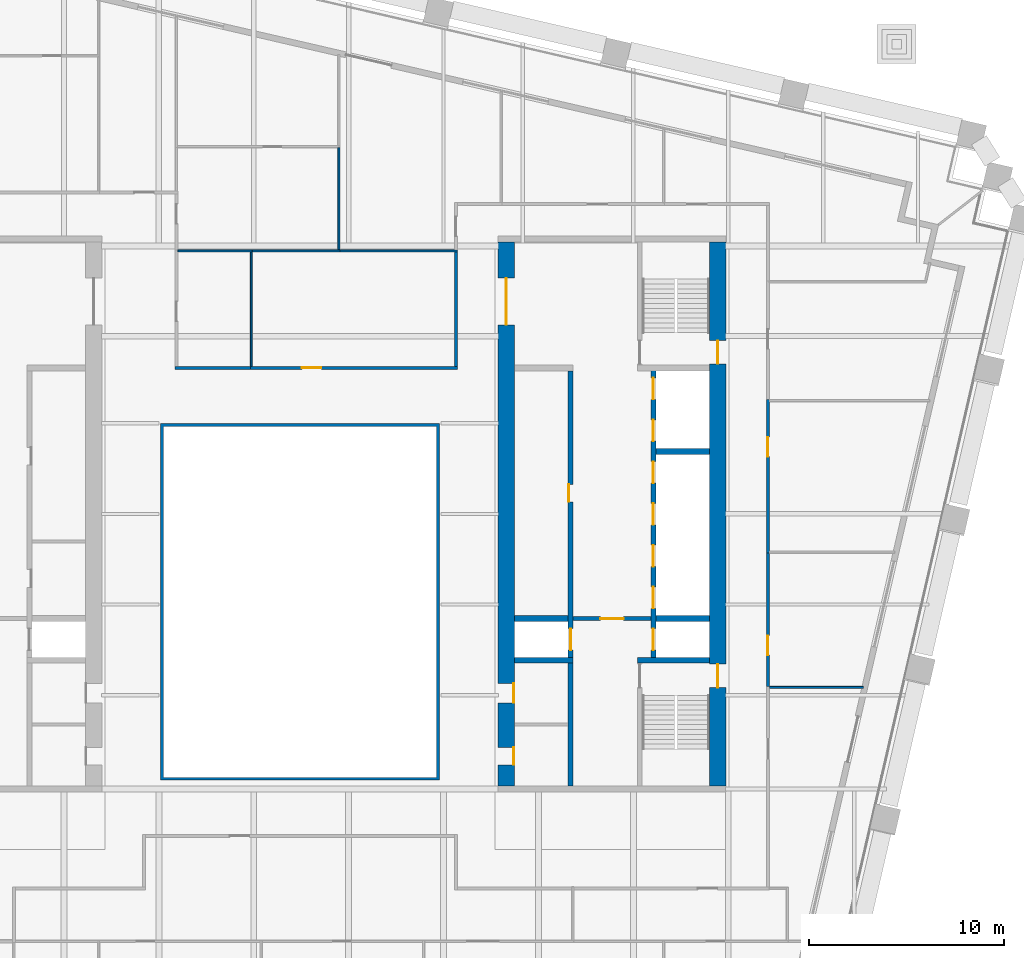
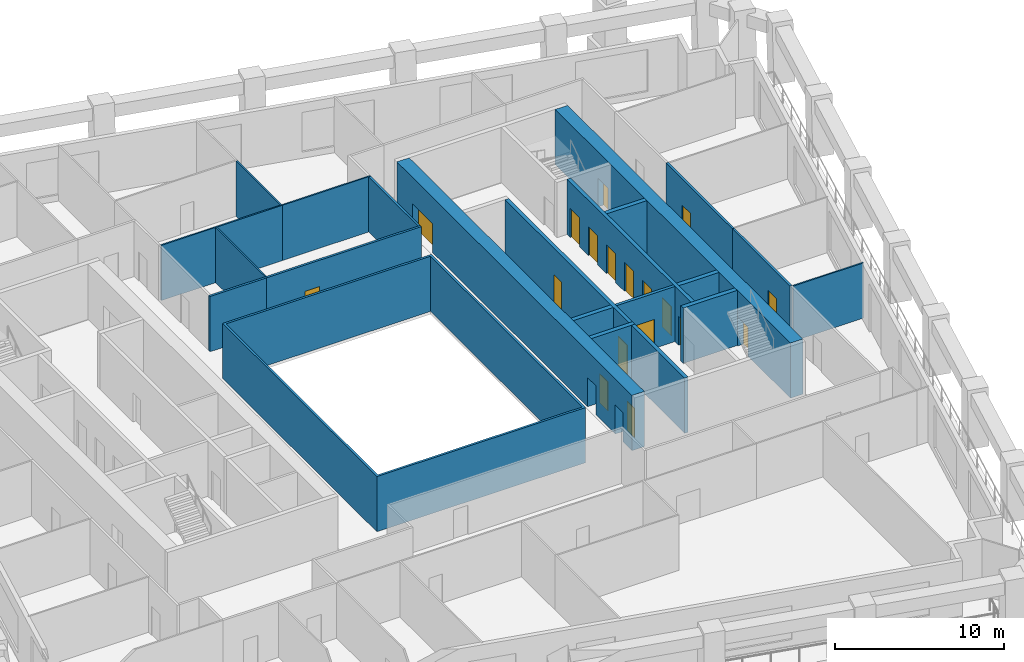
# One storey, part 7 of 10: 22 walls, 18 doors, 18 openings.
"""IFC4 building model written with IfcOpenShell, lengths in metres."""

from ifc_helpers import new_model, si_unit, direction, frame, frame_2d, origin, place, context, subcontext, project, spatial, polyline, rectangle, outline, extrude, material, layer, layer_set, type_object, element, fill, save


model = new_model("IFC4")

# Units and contexts
model_context = context("Model", 3, precision=1e-05, world=origin(), true_north=direction((0.0, 1.0)))
body_context = subcontext(model_context, "Body", "Model", "MODEL_VIEW")
ifc_project = project(units=[si_unit("LENGTHUNIT", "METRE"), si_unit("AREAUNIT", "SQUARE_METRE"), si_unit("VOLUMEUNIT", "CUBIC_METRE"), si_unit("PLANEANGLEUNIT", "RADIAN"), si_unit("MASSUNIT", "GRAM", prefix="KILO")], contexts=[model_context])

# Site, building, storey
site_placement = place(None, origin())
site = spatial("IfcSite", under=ifc_project, at=site_placement, CompositionType="ELEMENT")
building_placement = place(site_placement, origin())
building = spatial("IfcBuilding", under=site, at=building_placement, Name="Ogive Exchange Tower", CompositionType="ELEMENT")
storey_placement = place(building_placement, frame((0.0, 0.0, 105.60009765625)))
storey = spatial("IfcBuildingStorey", under=building, at=storey_placement, Name="L22", CompositionType="ELEMENT", Elevation=105.60009765625)

# Wall
ifc_material_1 = material(Name="Fire partition EI 60 150")
ifc_layer_1 = layer(ifc_material_1, 0.14990234375)
ifc_layer_set_1 = layer_set([ifc_layer_1], Name="Fire partition EI 60 150")
wall_type_1 = type_object("IfcWallType", Name="Fire partition EI 60 150", PredefinedType="PARTITIONING", material=ifc_layer_set_1)
wall_1_placement = place(storey_placement, frame((-6.4150390625, 19.0, 0.0), z_axis=(0.0, 0.0, 1.0), x_axis=(1.0, 0.0, 0.0)))
element("IfcWall", 1, at=wall_1_placement, inside=storey, type_object=wall_type_1, Name="L22-PWL-032", PredefinedType="PARTITIONING", context=body_context, shape_type="SweptSolid", body=[
    extrude(rectangle(XDim=3.864990234375, YDim=0.14990234375, at=frame_2d((1.9326171875, 0.0))), origin(), (0.0, 0.0, 1.0), 4.0),
])

# Wall, opening, door
wall_2_placement = place(storey_placement, frame((-2.550048828125, 19.0, 0.0), z_axis=(0.0, 0.0, 1.0), x_axis=(1.0, 0.0, 0.0)))
wall_2 = element("IfcWall", 2, at=wall_2_placement, inside=storey, type_object=wall_type_1, Name="L22-PWL-039", PredefinedType="PARTITIONING", context=body_context, shape_type="SweptSolid", body=[
    extrude(rectangle(XDim=10.625, YDim=0.14990234375, at=frame_2d((5.3125, 0.0))), origin(), (0.0, 0.0, 1.0), 4.0),
])
opening_1_placement = place(wall_2_placement, frame((2.64990234375, 0.0, 0.0)))
opening_1 = element("IfcOpeningElement", 3, at=opening_1_placement, cuts=wall_2, Name="Opening L22-I06", PredefinedType="OPENING", context=body_context, shape_type="SweptSolid", body=[
    extrude(rectangle(XDim=1.0, YDim=2.10009765625, at=frame_2d((0.5, 1.050048828125))), frame((0.0, 0.0849609375, 0.0), z_axis=(0.0, -1.0, 0.0), x_axis=(1.0, 0.0, 0.0)), (0.0, 0.0, 1.0), 0.169921875),
])
ifc_material_2 = material(Name="Fire door FD 30S 1000 x 2100")
door_type_1 = type_object("IfcDoorType", Name="Fire door FD 30S 1000 x 2100", OperationType="NOTDEFINED", PredefinedType="DOOR", material=ifc_material_2)
door_1_placement = place(opening_1_placement, origin())
door_1 = element("IfcDoor", 4, at=door_1_placement, inside=storey, type_object=door_type_1, Name="L22-IDR-006", ObjectType="DT3", OperationType="SINGLE_SWING_RIGHT", OverallHeight=2.10009765625, OverallWidth=1.0, PredefinedType="DOOR", context=body_context, shape_type="SweptSolid", body=[
    extrude(rectangle(XDim=1.0, YDim=2.10009765625, at=frame_2d((0.5, 1.050048828125))), frame((0.0, 0.02490234375, 0.0), z_axis=(0.0, -1.0, 0.0), x_axis=(1.0, 0.0, 0.0)), (0.0, 0.0, 1.0), 0.050048828125),
])
fill(opening_1, door_1)

# Wall
wall_3_placement = place(storey_placement, frame((8.0, 19.074951171875, 0.0), z_axis=(0.0, 0.0, 1.0), x_axis=(0.0, 1.0, 0.0)))
element("IfcWall", 5, at=wall_3_placement, inside=storey, type_object=wall_type_1, Name="L22-PWL-053", PredefinedType="PARTITIONING", context=body_context, shape_type="SweptSolid", body=[
    extrude(rectangle(XDim=5.875, YDim=0.14990234375, at=frame_2d((2.9375, 0.0))), origin(), (0.0, 0.0, 1.0), 4.0),
])

# Wall, opening, door
wall_4_placement = place(storey_placement, frame((24.0, 9.5, 0.0), z_axis=(0.0, 0.0, 1.0), x_axis=(0.0, -1.0, 0.0)))
wall_4 = element("IfcWall", 6, at=wall_4_placement, inside=storey, type_object=wall_type_1, Name="L22-PWL-066", PredefinedType="PARTITIONING", context=body_context, shape_type="SweptSolid", body=[
    extrude(rectangle(XDim=6.840087890625, YDim=0.14990234375, at=frame_2d((3.419921875, 0.0))), origin(), (0.0, 0.0, 1.0), 4.0),
])
opening_2_placement = place(wall_4_placement, frame((4.239990234375, 0.0, 0.0)))
opening_2 = element("IfcOpeningElement", 7, at=opening_2_placement, cuts=wall_4, Name="Opening L22-I15", PredefinedType="OPENING", context=body_context, shape_type="SweptSolid", body=[
    extrude(rectangle(XDim=1.0, YDim=2.10009765625, at=frame_2d((0.5, 1.050048828125))), frame((0.0, 0.0849609375, 0.0), z_axis=(0.0, -1.0, 0.0), x_axis=(1.0, 0.0, 0.0)), (0.0, 0.0, 1.0), 0.169921875),
])
door_2_placement = place(opening_2_placement, origin())
door_2 = element("IfcDoor", 8, at=door_2_placement, inside=storey, type_object=door_type_1, Name="L22-IDR-015", ObjectType="DT3", OperationType="SINGLE_SWING_LEFT", OverallHeight=2.10009765625, OverallWidth=1.0, PredefinedType="DOOR", context=body_context, shape_type="SweptSolid", body=[
    extrude(rectangle(XDim=1.0, YDim=2.10009765625, at=frame_2d((0.5, 1.050048828125))), frame((0.0, 0.02490234375, 0.0), z_axis=(0.0, -1.0, 0.0), x_axis=(1.0, 0.0, 0.0)), (0.0, 0.0, 1.0), 0.050048828125),
])
fill(opening_2, door_2)

wall_5_placement = place(storey_placement, frame((24.0, 17.3701171875, 0.0), z_axis=(0.0, 0.0, 1.0), x_axis=(0.0, -1.0, 0.0)))
wall_5 = element("IfcWall", 9, at=wall_5_placement, inside=storey, type_object=wall_type_1, Name="L22-PWL-067", PredefinedType="PARTITIONING", context=body_context, shape_type="SweptSolid", body=[
    extrude(rectangle(XDim=7.8701171875, YDim=0.14990234375, at=frame_2d((3.93505859375, 0.0))), origin(), (0.0, 0.0, 1.0), 4.0),
])
opening_3_placement = place(wall_5_placement, frame((1.919921875, 0.0, 0.0)))
opening_3 = element("IfcOpeningElement", 10, at=opening_3_placement, cuts=wall_5, Name="Opening L22-I01", PredefinedType="OPENING", context=body_context, shape_type="SweptSolid", body=[
    extrude(rectangle(XDim=1.0, YDim=2.10009765625, at=frame_2d((0.5, 1.050048828125))), frame((0.0, 0.0849609375, 0.0), z_axis=(0.0, -1.0, 0.0), x_axis=(1.0, 0.0, 0.0)), (0.0, 0.0, 1.0), 0.169921875),
])
door_3_placement = place(opening_3_placement, origin())
door_3 = element("IfcDoor", 11, at=door_3_placement, inside=storey, type_object=door_type_1, Name="L22-IDR-001", ObjectType="DT3", OperationType="SINGLE_SWING_RIGHT", OverallHeight=2.10009765625, OverallWidth=1.0, PredefinedType="DOOR", context=body_context, shape_type="SweptSolid", body=[
    extrude(rectangle(XDim=1.0, YDim=2.10009765625, at=frame_2d((0.5, 1.050048828125))), frame((0.0, 0.02490234375, 0.0), z_axis=(0.0, -1.0, 0.0), x_axis=(1.0, 0.0, 0.0)), (0.0, 0.0, 1.0), 0.050048828125),
])
fill(opening_3, door_3)

# Walls
ifc_material_3 = material(Name="Fire-resisting glass in steel frame", Category="steel")
ifc_layer_2 = layer(ifc_material_3, 0.14990234375)
ifc_layer_set_2 = layer_set([ifc_layer_2], Name="Fire-rated glazed wall 150")
wall_type_2 = type_object("IfcWallType", Name="Fire-rated glazed wall 150", PredefinedType="STANDARD", material=ifc_layer_set_2)
wall_6_placement = place(storey_placement, origin())
element("IfcWall", 12, at=wall_6_placement, inside=storey, type_object=wall_type_2, Name="Nave enclosure wall", PredefinedType="STANDARD", context=body_context, shape_type="SweptSolid", body=[
    extrude(outline(polyline([(-7.14990234375, -2.14990234375), (7.14990234375, -2.14990234375), (7.14990234375, 16.14990234375), (-7.14990234375, 16.14990234375), (-7.14990234375, -2.14990234375)]), holes=[polyline([(-7.0, -2.0), (-7.0, 16.0), (7.0, 16.0), (7.0, -2.0), (-7.0, -2.0)])]), origin(), (0.0, 0.0, 1.0), 4.0),
])
ifc_material_4 = material(Name="Partition 100 gypsum")
ifc_layer_3 = layer(ifc_material_4, 0.10009765625)
ifc_layer_set_3 = layer_set([ifc_layer_3], Name="Partition 100 gypsum")
wall_type_3 = type_object("IfcWallType", Name="Partition 100 gypsum", PredefinedType="PARTITIONING", material=ifc_layer_set_3)
wall_7_placement = place(storey_placement, frame((-6.264892578125, 25.0, 0.0), z_axis=(0.0, 0.0, 1.0), x_axis=(1.0, 0.0, 0.0)))
element("IfcWall", 13, at=wall_7_placement, inside=storey, type_object=wall_type_3, Name="L22-PWL-034", PredefinedType="PARTITIONING", context=body_context, shape_type="SweptSolid", body=[
    extrude(rectangle(XDim=3.81494140625, YDim=0.10009765625, at=frame_2d((1.907470703125, 0.0))), origin(), (0.0, 0.0, 1.0), 4.0),
])
wall_8_placement = place(storey_placement, frame((-2.5, 24.949951171875, 0.0), z_axis=(0.0, 0.0, 1.0), x_axis=(0.0, -1.0, 0.0)))
element("IfcWall", 14, at=wall_8_placement, inside=storey, type_object=wall_type_3, Name="L22-PWL-040", PredefinedType="PARTITIONING", context=body_context, shape_type="SweptSolid", body=[
    extrude(rectangle(XDim=5.875, YDim=0.10009765625, at=frame_2d((2.9375, 0.0))), origin(), (0.0, 0.0, 1.0), 4.0),
])
wall_9_placement = place(storey_placement, frame((-2.5, 25.0, 0.0), z_axis=(0.0, 0.0, 1.0), x_axis=(1.0, 0.0, 0.0)))
element("IfcWall", 15, at=wall_9_placement, inside=storey, type_object=wall_type_3, Name="L22-PWL-041", PredefinedType="PARTITIONING", context=body_context, shape_type="SweptSolid", body=[
    extrude(rectangle(XDim=4.5400390625, YDim=0.10009765625, at=frame_2d((2.27001953125, 0.0))), origin(), (0.0, 0.0, 1.0), 4.0),
])
wall_10_placement = place(storey_placement, frame((1.989990234375, 25.050048828125, 0.0), z_axis=(0.0, 0.0, 1.0), x_axis=(0.0, 1.0, 0.0)))
element("IfcWall", 16, at=wall_10_placement, inside=storey, type_object=wall_type_3, Name="L22-PWL-046", PredefinedType="PARTITIONING", context=body_context, shape_type="SweptSolid", body=[
    extrude(rectangle(XDim=5.239990234375, YDim=0.10009765625, at=frame_2d((2.6201171875, 0.0))), origin(), (0.0, 0.0, 1.0), 4.0),
])
wall_11_placement = place(storey_placement, frame((1.989990234375, 25.0, 0.0), z_axis=(0.0, 0.0, 1.0), x_axis=(1.0, 0.0, 0.0)))
element("IfcWall", 17, at=wall_11_placement, inside=storey, type_object=wall_type_3, Name="L22-PWL-047", PredefinedType="PARTITIONING", context=body_context, shape_type="SweptSolid", body=[
    extrude(rectangle(XDim=6.0849609375, YDim=0.10009765625, at=frame_2d((3.04248046875, 0.0))), origin(), (0.0, 0.0, 1.0), 4.0),
])
wall_12_placement = place(storey_placement, frame((28.89599609375, 2.610107421875, 0.0), z_axis=(0.0, 0.0, 1.0), x_axis=(-1.0, 0.0, 0.0)))
element("IfcWall", 18, at=wall_12_placement, inside=storey, type_object=wall_type_3, Name="L22-PWL-077", PredefinedType="PARTITIONING", context=body_context, shape_type="SweptSolid", body=[
    extrude(rectangle(XDim=4.81103515625, YDim=0.10009765625, at=frame_2d((2.405517578125, 0.0))), origin(), (0.0, 0.0, 1.0), 4.0),
])

# Wall, opening, door
ifc_material_5 = material(Name="Concrete C70/85", Category="concrete")
ifc_layer_4 = layer(ifc_material_5, 0.199951171875)
ifc_layer_set_4 = layer_set([ifc_layer_4], Name="RC core wall 200 C70/85")
wall_type_4 = type_object("IfcWallType", Name="RC core wall 200 C70/85", PredefinedType="SHEAR", material=ifc_layer_set_4)
wall_13_placement = place(storey_placement, frame((14.0, 6.142822265625, 0.0), z_axis=(0.0, 0.0, 1.0), x_axis=(1.0, 0.0, 0.0)))
wall_13 = element("IfcWall", 19, at=wall_13_placement, inside=storey, type_object=wall_type_4, Name="E firefighting lobby wall", PredefinedType="SHEAR", context=body_context, shape_type="SweptSolid", body=[
    extrude(rectangle(XDim=4.0, YDim=0.199951171875, at=frame_2d((2.0, 0.0))), origin(), (0.0, 0.0, 1.0), 4.0),
])
opening_4_placement = place(wall_13_placement, frame((1.39990234375, 0.0, 0.0)))
opening_4 = element("IfcOpeningElement", 20, at=opening_4_placement, cuts=wall_13, Name="Opening L22-C28", PredefinedType="OPENING", context=body_context, shape_type="SweptSolid", body=[
    extrude(rectangle(XDim=1.199951171875, YDim=2.10009765625, at=frame_2d((0.60009765625, 1.050048828125))), frame((0.0, 0.10986328125, 0.0), z_axis=(0.0, -1.0, 0.0), x_axis=(1.0, 0.0, 0.0)), (0.0, 0.0, 1.0), 0.219970703125),
])
ifc_material_6 = material(Name="Steel fire door", Category="steel")
door_type_2 = type_object("IfcDoorType", Name="Firefighting lobby door FD60 1200 x 2100", OperationType="NOTDEFINED", PredefinedType="DOOR", material=ifc_material_6)
door_4_placement = place(opening_4_placement, frame((1.199951171875, 0.0, 0.0), z_axis=(0.0, 0.0, 1.0), x_axis=(-1.0, 0.0, 0.0)))
door_4 = element("IfcDoor", 21, at=door_4_placement, inside=storey, type_object=door_type_2, Name="Firefighting lobby door", ObjectType="CD3", OperationType="SINGLE_SWING_LEFT", OverallHeight=2.10009765625, OverallWidth=1.199951171875, PredefinedType="DOOR", context=body_context, shape_type="SweptSolid", body=[
    extrude(rectangle(XDim=1.199951171875, YDim=2.10009765625, at=frame_2d((0.60009765625, 1.050048828125))), frame((0.0, 0.02490234375, 0.0), z_axis=(0.0, -1.0, 0.0), x_axis=(1.0, 0.0, 0.0)), (0.0, 0.0, 1.0), 0.050048828125),
])
fill(opening_4, door_4)

# Wall, openings, doors
ifc_layer_5 = layer(ifc_material_5, 0.25)
ifc_layer_set_5 = layer_set([ifc_layer_5], Name="RC core wall 250 C70/85")
wall_type_5 = type_object("IfcWallType", Name="RC core wall 250 C70/85", PredefinedType="SHEAR", material=ifc_layer_set_5)
wall_14_placement = place(storey_placement, frame((18.125, 4.14990234375, 0.0), z_axis=(0.0, 0.0, 1.0), x_axis=(0.0, 1.0, 0.0)))
wall_14 = element("IfcWall", 22, at=wall_14_placement, inside=storey, type_object=wall_type_5, Name="E row A front wall", PredefinedType="SHEAR", context=body_context, shape_type="SweptSolid", body=[
    extrude(rectangle(XDim=14.7001953125, YDim=0.25, at=frame_2d((7.35009765625, 0.0))), origin(), (0.0, 0.0, 1.0), 4.0),
])
opening_5_placement = place(wall_14_placement, frame((0.371337890625, 0.0, 0.0)))
opening_5 = element("IfcOpeningElement", 23, at=opening_5_placement, cuts=wall_14, Name="Opening L22-C19", PredefinedType="OPENING", context=body_context, shape_type="SweptSolid", body=[
    extrude(rectangle(XDim=1.10009765625, YDim=2.10009765625, at=frame_2d((0.550048828125, 1.050048828125))), frame((0.0, 0.135009765625, 0.0), z_axis=(0.0, -1.0, 0.0), x_axis=(1.0, 0.0, 0.0)), (0.0, 0.0, 1.0), 0.27001953125),
])
opening_6_placement = place(wall_14_placement, frame((2.514404296875, 0.0, 0.0)))
opening_6 = element("IfcOpeningElement", 24, at=opening_6_placement, cuts=wall_14, Name="Opening L22-C20", PredefinedType="OPENING", context=body_context, shape_type="SweptSolid", body=[
    extrude(rectangle(XDim=1.10009765625, YDim=2.10009765625, at=frame_2d((0.550048828125, 1.050048828125))), frame((0.0, 0.135009765625, 0.0), z_axis=(0.0, -1.0, 0.0), x_axis=(1.0, 0.0, 0.0)), (0.0, 0.0, 1.0), 0.27001953125),
])
opening_7_placement = place(wall_14_placement, frame((4.656982421875, 0.0, 0.0)))
opening_7 = element("IfcOpeningElement", 25, at=opening_7_placement, cuts=wall_14, Name="Opening L22-C21", PredefinedType="OPENING", context=body_context, shape_type="SweptSolid", body=[
    extrude(rectangle(XDim=1.10009765625, YDim=2.10009765625, at=frame_2d((0.550048828125, 1.050048828125))), frame((0.0, 0.135009765625, 0.0), z_axis=(0.0, -1.0, 0.0), x_axis=(1.0, 0.0, 0.0)), (0.0, 0.0, 1.0), 0.27001953125),
])
opening_8_placement = place(wall_14_placement, frame((6.800048828125, 0.0, 0.0)))
opening_8 = element("IfcOpeningElement", 26, at=opening_8_placement, cuts=wall_14, Name="Opening L22-C22", PredefinedType="OPENING", context=body_context, shape_type="SweptSolid", body=[
    extrude(rectangle(XDim=1.10009765625, YDim=2.10009765625, at=frame_2d((0.550048828125, 1.050048828125))), frame((0.0, 0.135009765625, 0.0), z_axis=(0.0, -1.0, 0.0), x_axis=(1.0, 0.0, 0.0)), (0.0, 0.0, 1.0), 0.27001953125),
])
opening_9_placement = place(wall_14_placement, frame((8.94287109375, 0.0, 0.0)))
opening_9 = element("IfcOpeningElement", 27, at=opening_9_placement, cuts=wall_14, Name="Opening L22-C23", PredefinedType="OPENING", context=body_context, shape_type="SweptSolid", body=[
    extrude(rectangle(XDim=1.10009765625, YDim=2.10009765625, at=frame_2d((0.550048828125, 1.050048828125))), frame((0.0, 0.135009765625, 0.0), z_axis=(0.0, -1.0, 0.0), x_axis=(1.0, 0.0, 0.0)), (0.0, 0.0, 1.0), 0.27001953125),
])
opening_10_placement = place(wall_14_placement, frame((11.085693359375, 0.0, 0.0)))
opening_10 = element("IfcOpeningElement", 28, at=opening_10_placement, cuts=wall_14, Name="Opening L22-C24", PredefinedType="OPENING", context=body_context, shape_type="SweptSolid", body=[
    extrude(rectangle(XDim=1.10009765625, YDim=2.10009765625, at=frame_2d((0.550048828125, 1.050048828125))), frame((0.0, 0.135009765625, 0.0), z_axis=(0.0, -1.0, 0.0), x_axis=(1.0, 0.0, 0.0)), (0.0, 0.0, 1.0), 0.27001953125),
])
opening_11_placement = place(wall_14_placement, frame((13.228515625, 0.0, 0.0)))
opening_11 = element("IfcOpeningElement", 29, at=opening_11_placement, cuts=wall_14, Name="Opening L22-C25", PredefinedType="OPENING", context=body_context, shape_type="SweptSolid", body=[
    extrude(rectangle(XDim=1.10009765625, YDim=2.10009765625, at=frame_2d((0.550048828125, 1.050048828125))), frame((0.0, 0.135009765625, 0.0), z_axis=(0.0, -1.0, 0.0), x_axis=(1.0, 0.0, 0.0)), (0.0, 0.0, 1.0), 0.27001953125),
])
ifc_material_7 = material(Name="Stainless steel", Category="steel")
door_type_3 = type_object("IfcDoorType", Name="Lift landing door FD90 1100 x 2100", OperationType="SLIDING_TO_LEFT", PredefinedType="DOOR", material=ifc_material_7)
door_5_placement = place(opening_5_placement, origin())
door_5 = element("IfcDoor", 30, at=door_5_placement, inside=storey, type_object=door_type_3, Name="Lift landing door FF2", ObjectType="LD", OperationType="SLIDING_TO_LEFT", OverallHeight=2.10009765625, OverallWidth=1.10009765625, PredefinedType="DOOR", context=body_context, shape_type="SweptSolid", body=[
    extrude(rectangle(XDim=1.10009765625, YDim=2.10009765625, at=frame_2d((0.550048828125, 1.050048828125))), frame((0.0, 0.02490234375, 0.0), z_axis=(0.0, -1.0, 0.0), x_axis=(1.0, 0.0, 0.0)), (0.0, 0.0, 1.0), 0.050048828125),
])
fill(opening_5, door_5)
door_6_placement = place(opening_6_placement, origin())
door_6 = element("IfcDoor", 31, at=door_6_placement, inside=storey, type_object=door_type_3, Name="Lift landing door E-L1", ObjectType="LD", OperationType="SLIDING_TO_LEFT", OverallHeight=2.10009765625, OverallWidth=1.10009765625, PredefinedType="DOOR", context=body_context, shape_type="SweptSolid", body=[
    extrude(rectangle(XDim=1.10009765625, YDim=2.10009765625, at=frame_2d((0.550048828125, 1.050048828125))), frame((0.0, 0.02490234375, 0.0), z_axis=(0.0, -1.0, 0.0), x_axis=(1.0, 0.0, 0.0)), (0.0, 0.0, 1.0), 0.050048828125),
])
fill(opening_6, door_6)
door_7_placement = place(opening_7_placement, origin())
door_7 = element("IfcDoor", 32, at=door_7_placement, inside=storey, type_object=door_type_3, Name="Lift landing door E-L2", ObjectType="LD", OperationType="SLIDING_TO_LEFT", OverallHeight=2.10009765625, OverallWidth=1.10009765625, PredefinedType="DOOR", context=body_context, shape_type="SweptSolid", body=[
    extrude(rectangle(XDim=1.10009765625, YDim=2.10009765625, at=frame_2d((0.550048828125, 1.050048828125))), frame((0.0, 0.02490234375, 0.0), z_axis=(0.0, -1.0, 0.0), x_axis=(1.0, 0.0, 0.0)), (0.0, 0.0, 1.0), 0.050048828125),
])
fill(opening_7, door_7)
door_8_placement = place(opening_8_placement, origin())
door_8 = element("IfcDoor", 33, at=door_8_placement, inside=storey, type_object=door_type_3, Name="Lift landing door E-L3", ObjectType="LD", OperationType="SLIDING_TO_LEFT", OverallHeight=2.10009765625, OverallWidth=1.10009765625, PredefinedType="DOOR", context=body_context, shape_type="SweptSolid", body=[
    extrude(rectangle(XDim=1.10009765625, YDim=2.10009765625, at=frame_2d((0.550048828125, 1.050048828125))), frame((0.0, 0.02490234375, 0.0), z_axis=(0.0, -1.0, 0.0), x_axis=(1.0, 0.0, 0.0)), (0.0, 0.0, 1.0), 0.050048828125),
])
fill(opening_8, door_8)
door_9_placement = place(opening_9_placement, origin())
door_9 = element("IfcDoor", 34, at=door_9_placement, inside=storey, type_object=door_type_3, Name="Lift landing door E-L4", ObjectType="LD", OperationType="SLIDING_TO_LEFT", OverallHeight=2.10009765625, OverallWidth=1.10009765625, PredefinedType="DOOR", context=body_context, shape_type="SweptSolid", body=[
    extrude(rectangle(XDim=1.10009765625, YDim=2.10009765625, at=frame_2d((0.550048828125, 1.050048828125))), frame((0.0, 0.02490234375, 0.0), z_axis=(0.0, -1.0, 0.0), x_axis=(1.0, 0.0, 0.0)), (0.0, 0.0, 1.0), 0.050048828125),
])
fill(opening_9, door_9)
door_10_placement = place(opening_10_placement, origin())
door_10 = element("IfcDoor", 35, at=door_10_placement, inside=storey, type_object=door_type_3, Name="Lift landing door E-SH1", ObjectType="LD", OperationType="SLIDING_TO_LEFT", OverallHeight=2.10009765625, OverallWidth=1.10009765625, PredefinedType="DOOR", context=body_context, shape_type="SweptSolid", body=[
    extrude(rectangle(XDim=1.10009765625, YDim=2.10009765625, at=frame_2d((0.550048828125, 1.050048828125))), frame((0.0, 0.02490234375, 0.0), z_axis=(0.0, -1.0, 0.0), x_axis=(1.0, 0.0, 0.0)), (0.0, 0.0, 1.0), 0.050048828125),
])
fill(opening_10, door_10)
door_11_placement = place(opening_11_placement, origin())
door_11 = element("IfcDoor", 36, at=door_11_placement, inside=storey, type_object=door_type_3, Name="Lift landing door E-SH2", ObjectType="LD", OperationType="SLIDING_TO_LEFT", OverallHeight=2.10009765625, OverallWidth=1.10009765625, PredefinedType="DOOR", context=body_context, shape_type="SweptSolid", body=[
    extrude(rectangle(XDim=1.10009765625, YDim=2.10009765625, at=frame_2d((0.550048828125, 1.050048828125))), frame((0.0, 0.02490234375, 0.0), z_axis=(0.0, -1.0, 0.0), x_axis=(1.0, 0.0, 0.0)), (0.0, 0.0, 1.0), 0.050048828125),
])
fill(opening_11, door_11)

wall_15_placement = place(storey_placement, frame((13.875, -2.449951171875, 0.0), z_axis=(0.0, 0.0, 1.0), x_axis=(0.0, 1.0, 0.0)))
wall_15 = element("IfcWall", 37, at=wall_15_placement, inside=storey, type_object=wall_type_5, Name="E row B front wall", PredefinedType="SHEAR", context=body_context, shape_type="SweptSolid", body=[
    extrude(rectangle(XDim=21.300048828125, YDim=0.25, at=frame_2d((10.64990234375, 0.0))), origin(), (0.0, 0.0, 1.0), 4.0),
])
opening_12_placement = place(wall_15_placement, frame((14.5712890625, 0.0, 0.0)))
opening_12 = element("IfcOpeningElement", 38, at=opening_12_placement, cuts=wall_15, Name="Opening L22-C26", PredefinedType="OPENING", context=body_context, shape_type="SweptSolid", body=[
    extrude(rectangle(XDim=0.89990234375, YDim=2.10009765625, at=frame_2d((0.449951171875, 1.050048828125))), frame((0.0, 0.135009765625, 0.0), z_axis=(0.0, -1.0, 0.0), x_axis=(1.0, 0.0, 0.0)), (0.0, 0.0, 1.0), 0.27001953125),
])
opening_13_placement = place(wall_15_placement, frame((6.971435546875, 0.0, 0.0)))
opening_13 = element("IfcOpeningElement", 39, at=opening_13_placement, cuts=wall_15, Name="Opening L22-C27", PredefinedType="OPENING", context=body_context, shape_type="SweptSolid", body=[
    extrude(rectangle(XDim=1.10009765625, YDim=2.10009765625, at=frame_2d((0.550048828125, 1.050048828125))), frame((0.0, 0.135009765625, 0.0), z_axis=(0.0, -1.0, 0.0), x_axis=(1.0, 0.0, 0.0)), (0.0, 0.0, 1.0), 0.27001953125),
])
door_12_placement = place(opening_13_placement, origin())
door_12 = element("IfcDoor", 40, at=door_12_placement, inside=storey, type_object=door_type_3, Name="Lift landing door SV2", ObjectType="LD", OperationType="SLIDING_TO_LEFT", OverallHeight=2.10009765625, OverallWidth=1.10009765625, PredefinedType="DOOR", context=body_context, shape_type="SweptSolid", body=[
    extrude(rectangle(XDim=1.10009765625, YDim=2.10009765625, at=frame_2d((0.550048828125, 1.050048828125))), frame((0.0, 0.02490234375, 0.0), z_axis=(0.0, -1.0, 0.0), x_axis=(1.0, 0.0, 0.0)), (0.0, 0.0, 1.0), 0.050048828125),
])
fill(opening_13, door_12)
door_type_4 = type_object("IfcDoorType", Name="Riser door FD60 900 x 2100", OperationType="NOTDEFINED", PredefinedType="DOOR", material=ifc_material_6)
door_13_placement = place(opening_12_placement, origin())
door_13 = element("IfcDoor", 41, at=door_13_placement, inside=storey, type_object=door_type_4, Name="Riser door", ObjectType="CD2", OperationType="SINGLE_SWING_LEFT", OverallHeight=2.10009765625, OverallWidth=0.89990234375, PredefinedType="DOOR", context=body_context, shape_type="SweptSolid", body=[
    extrude(rectangle(XDim=0.89990234375, YDim=2.10009765625, at=frame_2d((0.449951171875, 1.050048828125))), frame((0.0, 0.125, 0.0), z_axis=(0.0, -1.0, 0.0), x_axis=(1.0, 0.0, 0.0)), (0.0, 0.0, 1.0), 0.050048828125),
])
fill(opening_12, door_13)

# Walls
ifc_layer_6 = layer(ifc_material_5, 0.300048828125)
ifc_layer_set_6 = layer_set([ifc_layer_6], Name="RC core wall 300 C70/85")
wall_type_6 = type_object("IfcWallType", Name="RC core wall 300 C70/85", PredefinedType="SHEAR", material=ifc_layer_set_6)
wall_16_placement = place(storey_placement, frame((17.300048828125, 4.0, 0.0), z_axis=(0.0, 0.0, 1.0), x_axis=(1.0, 0.0, 0.0)))
element("IfcWall", 42, at=wall_16_placement, inside=storey, type_object=wall_type_6, Name="E stair S north wall", PredefinedType="SHEAR", context=body_context, shape_type="SweptSolid", body=[
    extrude(rectangle(XDim=3.699951171875, YDim=0.300048828125, at=frame_2d((1.85009765625, 0.0))), origin(), (0.0, 0.0, 1.0), 4.0),
])
for number, where, z_axis, x_axis, name in (
    (43, (18.25, 6.142822265625, 0.0), (0.0, 0.0, 1.0), (1.0, 0.0, 0.0), "E row A divider 1"),
    (44, (18.25, 14.71435546875, 0.0), (0.0, 0.0, 1.0), (1.0, 0.0, 0.0), "E row A divider 5"),
):
    element("IfcWall", number, at=place(storey_placement, frame(where, z_axis=z_axis, x_axis=x_axis)), inside=storey, type_object=wall_type_6, Name=name, PredefinedType="SHEAR", context=body_context, shape_type="SweptSolid", body=[
        extrude(rectangle(XDim=2.75, YDim=0.300048828125, at=frame_2d((1.375, 0.0))), origin(), (0.0, 0.0, 1.0), 4.0),
    ])
wall_17_placement = place(storey_placement, frame((11.0, 4.0, 0.0), z_axis=(0.0, 0.0, 1.0), x_axis=(1.0, 0.0, 0.0)))
element("IfcWall", 45, at=wall_17_placement, inside=storey, type_object=wall_type_6, Name="E row B divider 0", PredefinedType="SHEAR", context=body_context, shape_type="SweptSolid", body=[
    extrude(rectangle(XDim=3.0, YDim=0.300048828125, at=frame_2d((1.5, 0.0))), origin(), (0.0, 0.0, 1.0), 4.0),
])
wall_18_placement = place(storey_placement, frame((11.0, 6.142822265625, 0.0), z_axis=(0.0, 0.0, 1.0), x_axis=(1.0, 0.0, 0.0)))
element("IfcWall", 46, at=wall_18_placement, inside=storey, type_object=wall_type_6, Name="E row B divider 1", PredefinedType="SHEAR", context=body_context, shape_type="SweptSolid", body=[
    extrude(rectangle(XDim=2.75, YDim=0.300048828125, at=frame_2d((1.375, 0.0))), origin(), (0.0, 0.0, 1.0), 4.0),
])

# Wall, openings, doors
ifc_layer_7 = layer(ifc_material_5, 0.85009765625)
ifc_layer_set_7 = layer_set([ifc_layer_7], Name="RC core wall 850 C70/85")
wall_type_7 = type_object("IfcWallType", Name="RC core wall 850 C70/85", PredefinedType="SHEAR", material=ifc_layer_set_7)
wall_19_placement = place(storey_placement, frame((21.425048828125, -2.449951171875, 0.0), z_axis=(0.0, 0.0, 1.0), x_axis=(0.0, 1.0, 0.0)))
wall_19 = element("IfcWall", 47, at=wall_19_placement, inside=storey, type_object=wall_type_7, Name="E outer wall", PredefinedType="SHEAR", context=body_context, shape_type="SweptSolid", body=[
    extrude(rectangle(XDim=27.89990234375, YDim=0.85009765625, at=frame_2d((13.949951171875, 0.0))), origin(), (0.0, 0.0, 1.0), 4.0),
])
opening_14_placement = place(wall_19_placement, frame((5.050048828125, 0.0, 0.0)))
opening_14 = element("IfcOpeningElement", 48, at=opening_14_placement, cuts=wall_19, Name="Opening L22-C31", PredefinedType="OPENING", context=body_context, shape_type="SweptSolid", body=[
    extrude(rectangle(XDim=1.199951171875, YDim=2.10009765625, at=frame_2d((0.60009765625, 1.050048828125))), frame((0.0, 0.43505859375, 0.0), z_axis=(0.0, -1.0, 0.0), x_axis=(1.0, 0.0, 0.0)), (0.0, 0.0, 1.0), 0.8701171875),
])
opening_15_placement = place(wall_19_placement, frame((21.64990234375, 0.0, 0.0)))
opening_15 = element("IfcOpeningElement", 49, at=opening_15_placement, cuts=wall_19, Name="Opening L22-C33", PredefinedType="OPENING", context=body_context, shape_type="SweptSolid", body=[
    extrude(rectangle(XDim=1.199951171875, YDim=2.10009765625, at=frame_2d((0.60009765625, 1.050048828125))), frame((0.0, 0.43505859375, 0.0), z_axis=(0.0, -1.0, 0.0), x_axis=(1.0, 0.0, 0.0)), (0.0, 0.0, 1.0), 0.8701171875),
])
door_type_5 = type_object("IfcDoorType", Name="Stair door FD90 1200 x 2100", OperationType="NOTDEFINED", PredefinedType="DOOR", material=ifc_material_6)
door_14_placement = place(opening_14_placement, origin())
door_14 = element("IfcDoor", 50, at=door_14_placement, inside=storey, type_object=door_type_5, Name="Stair door", ObjectType="CD5", OperationType="SINGLE_SWING_LEFT", OverallHeight=2.10009765625, OverallWidth=1.199951171875, PredefinedType="DOOR", context=body_context, shape_type="SweptSolid", body=[
    extrude(rectangle(XDim=1.199951171875, YDim=2.10009765625, at=frame_2d((0.60009765625, 1.050048828125))), frame((0.0, 0.02490234375, 0.0), z_axis=(0.0, -1.0, 0.0), x_axis=(1.0, 0.0, 0.0)), (0.0, 0.0, 1.0), 0.050048828125),
])
fill(opening_14, door_14)
door_15_placement = place(opening_15_placement, origin())
door_15 = element("IfcDoor", 51, at=door_15_placement, inside=storey, type_object=door_type_5, Name="Stair door", ObjectType="CD5", OperationType="SINGLE_SWING_RIGHT", OverallHeight=2.10009765625, OverallWidth=1.199951171875, PredefinedType="DOOR", context=body_context, shape_type="SweptSolid", body=[
    extrude(rectangle(XDim=1.199951171875, YDim=2.10009765625, at=frame_2d((0.60009765625, 1.050048828125))), frame((0.0, 0.02490234375, 0.0), z_axis=(0.0, -1.0, 0.0), x_axis=(1.0, 0.0, 0.0)), (0.0, 0.0, 1.0), 0.050048828125),
])
fill(opening_15, door_15)

wall_20_placement = place(storey_placement, frame((10.574951171875, -2.449951171875, 0.0), z_axis=(0.0, 0.0, 1.0), x_axis=(0.0, 1.0, 0.0)))
wall_20 = element("IfcWall", 52, at=wall_20_placement, inside=storey, type_object=wall_type_7, Name="E inner wall", PredefinedType="SHEAR", context=body_context, shape_type="SweptSolid", body=[
    extrude(rectangle(XDim=27.89990234375, YDim=0.85009765625, at=frame_2d((13.949951171875, 0.0))), origin(), (0.0, 0.0, 1.0), 4.0),
])
opening_16_placement = place(wall_20_placement, frame((23.64990234375, 0.0, 0.0)))
opening_16 = element("IfcOpeningElement", 53, at=opening_16_placement, cuts=wall_20, Name="Opening L22-C29", PredefinedType="OPENING", context=body_context, shape_type="SweptSolid", body=[
    extrude(rectangle(XDim=2.39990234375, YDim=2.10009765625, at=frame_2d((1.199951171875, 1.050048828125))), frame((0.0, 0.43505859375, 0.0), z_axis=(0.0, -1.0, 0.0), x_axis=(1.0, 0.0, 0.0)), (0.0, 0.0, 1.0), 0.8701171875),
])
opening_17_placement = place(wall_20_placement, frame((1.08740234375, 0.0, 0.0)))
opening_17 = element("IfcOpeningElement", 54, at=opening_17_placement, cuts=wall_20, Name="Opening L22-C34", PredefinedType="OPENING", context=body_context, shape_type="SweptSolid", body=[
    extrude(rectangle(XDim=0.89990234375, YDim=2.10009765625, at=frame_2d((0.449951171875, 1.050048828125))), frame((0.0, 0.43505859375, 0.0), z_axis=(0.0, -1.0, 0.0), x_axis=(1.0, 0.0, 0.0)), (0.0, 0.0, 1.0), 0.8701171875),
])
opening_18_placement = place(wall_20_placement, frame((4.262451171875, 0.0, 0.0)))
opening_18 = element("IfcOpeningElement", 55, at=opening_18_placement, cuts=wall_20, Name="Opening L22-C35", PredefinedType="OPENING", context=body_context, shape_type="SweptSolid", body=[
    extrude(rectangle(XDim=1.0, YDim=2.10009765625, at=frame_2d((0.5, 1.050048828125))), frame((0.0, 0.43505859375, 0.0), z_axis=(0.0, -1.0, 0.0), x_axis=(1.0, 0.0, 0.0)), (0.0, 0.0, 1.0), 0.8701171875),
])
ifc_material_8 = material(Name="Timber fire door", Category="wood")
door_type_6 = type_object("IfcDoorType", Name="Accessible WC door FD30S 1000 x 2100", OperationType="NOTDEFINED", PredefinedType="DOOR", material=ifc_material_8)
door_16_placement = place(opening_18_placement, frame((1.0, -0.7998046875, 0.0), z_axis=(0.0, 0.0, 1.0), x_axis=(-1.0, 0.0, 0.0)))
door_16 = element("IfcDoor", 56, at=door_16_placement, inside=storey, type_object=door_type_6, Name="Accessible WC door", ObjectType="CD7", OperationType="SINGLE_SWING_LEFT", OverallHeight=2.10009765625, OverallWidth=1.0, PredefinedType="DOOR", context=body_context, shape_type="SweptSolid", body=[
    extrude(rectangle(XDim=1.0, YDim=2.10009765625, at=frame_2d((0.5, 1.050048828125))), frame((0.0, -0.375, 0.0), z_axis=(0.0, -1.0, 0.0), x_axis=(1.0, 0.0, 0.0)), (0.0, 0.0, 1.0), 0.050048828125),
])
fill(opening_18, door_16)
door_type_7 = type_object("IfcDoorType", Name="Core room door FD30S 900 x 2100", OperationType="NOTDEFINED", PredefinedType="DOOR", material=ifc_material_8)
door_17_placement = place(opening_17_placement, frame((0.89990234375, -0.7998046875, 0.0), z_axis=(0.0, 0.0, 1.0), x_axis=(-1.0, 0.0, 0.0)))
door_17 = element("IfcDoor", 57, at=door_17_placement, inside=storey, type_object=door_type_7, Name="Core room door", ObjectType="CD6", OperationType="SINGLE_SWING_LEFT", OverallHeight=2.10009765625, OverallWidth=0.89990234375, PredefinedType="DOOR", context=body_context, shape_type="SweptSolid", body=[
    extrude(rectangle(XDim=0.89990234375, YDim=2.10009765625, at=frame_2d((0.449951171875, 1.050048828125))), frame((0.0, -0.375, 0.0), z_axis=(0.0, -1.0, 0.0), x_axis=(1.0, 0.0, 0.0)), (0.0, 0.0, 1.0), 0.050048828125),
])
fill(opening_17, door_17)
ifc_material_9 = material(Name="Glazed steel fire door", Category="steel")
door_type_8 = type_object("IfcDoorType", Name="Lift lobby double door FD60 2400 x 2100", OperationType="DOUBLE_DOOR_SINGLE_SWING", PredefinedType="DOOR", material=ifc_material_9)
door_18_placement = place(opening_16_placement, frame((2.39990234375, 0.0, 0.0), z_axis=(0.0, 0.0, 1.0), x_axis=(-1.0, 0.0, 0.0)))
door_18 = element("IfcDoor", 58, at=door_18_placement, inside=storey, type_object=door_type_8, Name="Lift lobby double door", ObjectType="CD4", OperationType="DOUBLE_DOOR_SINGLE_SWING", OverallHeight=2.10009765625, OverallWidth=2.39990234375, PredefinedType="DOOR", context=body_context, shape_type="SweptSolid", body=[
    extrude(rectangle(XDim=2.39990234375, YDim=2.10009765625, at=frame_2d((1.199951171875, 1.050048828125))), frame((0.0, 0.02490234375, 0.0), z_axis=(0.0, -1.0, 0.0), x_axis=(1.0, 0.0, 0.0)), (0.0, 0.0, 1.0), 0.050048828125),
])
fill(opening_16, door_18)

save(model, "model.ifc")
